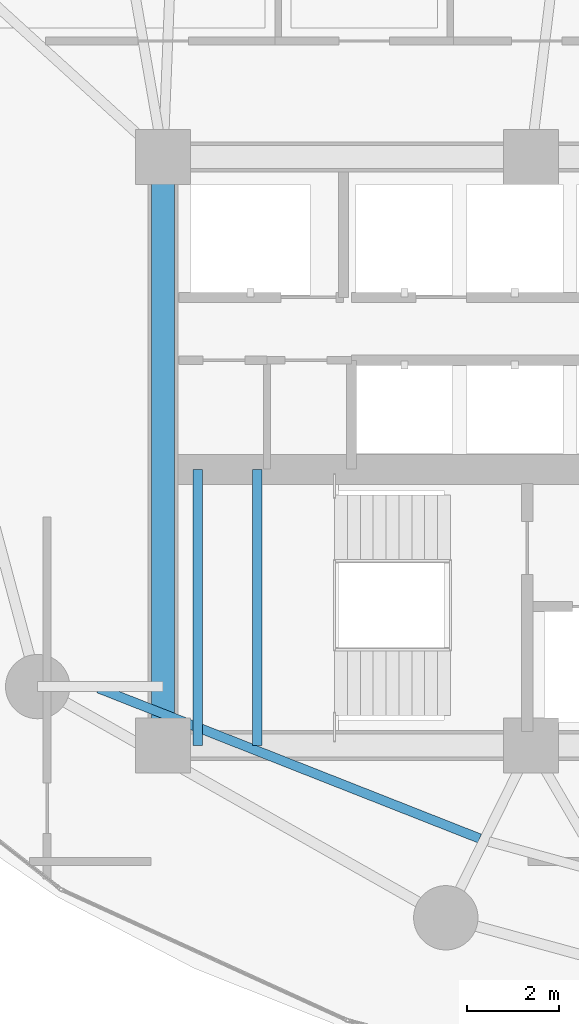
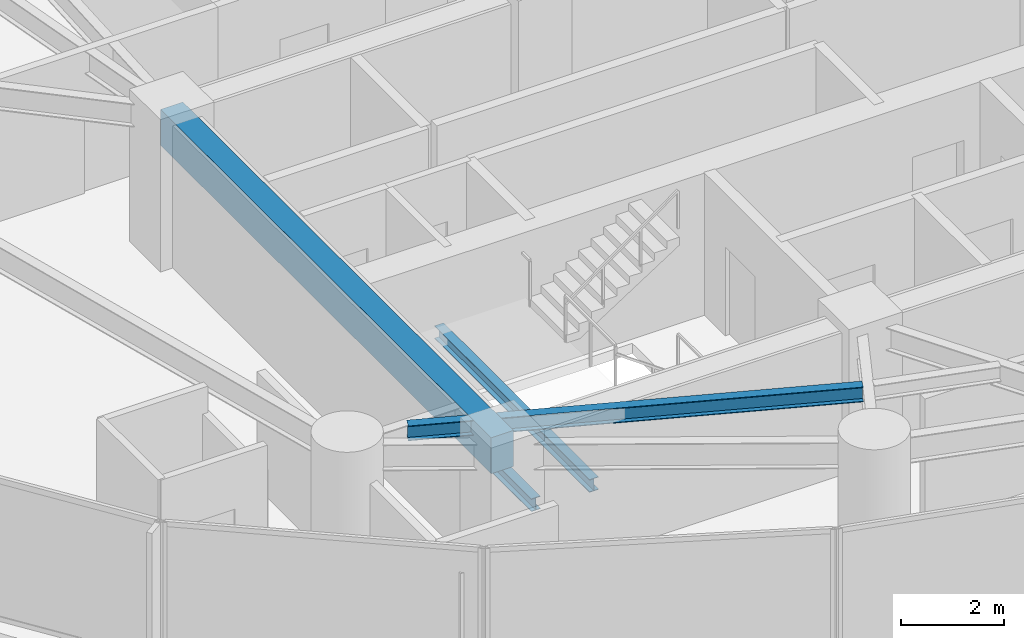
# One storey, part 4 of 32: 4 beams.
"""IFC4 building model written with IfcOpenShell, lengths in metres."""

from ifc_helpers import new_model, si_unit, direction, frame, origin, origin_2d, place, context, subcontext, project, spatial, rectangle, i_section, extrude, material, material_profile, profile_set, type_object, element, save


model = new_model("IFC4")

# Units and contexts
model_context = context("Model", 3, precision=1e-05, world=origin(), true_north=direction((0.0, 1.0)))
body_context = subcontext(model_context, "Body", "Model", "MODEL_VIEW")
ifc_project = project(units=[si_unit("LENGTHUNIT", "METRE"), si_unit("AREAUNIT", "SQUARE_METRE"), si_unit("VOLUMEUNIT", "CUBIC_METRE"), si_unit("PLANEANGLEUNIT", "RADIAN"), si_unit("MASSUNIT", "GRAM", prefix="KILO")], contexts=[model_context])

# Site, building, storey
site_placement = place(None, origin())
site = spatial("IfcSite", under=ifc_project, at=site_placement, CompositionType="ELEMENT")
building_placement = place(site_placement, origin())
building = spatial("IfcBuilding", under=site, at=building_placement, Name="Kazevale Care Tower and Concert Hall", CompositionType="ELEMENT")
storey_placement = place(building_placement, frame((0.0, 0.0, 34.800048828125)))
storey = spatial("IfcBuildingStorey", under=building, at=storey_placement, Name="L08", CompositionType="ELEMENT", Elevation=34.800048828125)

# Beams
ifc_material_1 = material(Name="Concrete C60", Category="concrete")
ifc_material_profile_1 = material_profile(ifc_material_1, rectangle(XDim=0.5, YDim=0.85009765625, at=origin_2d()), Name="RC-B500x850")
ifc_profile_set_1 = profile_set([ifc_material_profile_1], Name="Concrete C60")
beam_type_1 = type_object("IfcBeamType", Name="Core Coupling Beam RC500x850", PredefinedType="LINTEL", material=ifc_profile_set_1)
beam_1_placement = place(storey_placement, frame((22.0, 36.39990234375, 2.93505859375), z_axis=(0.0, -1.0, 0.0), x_axis=(1.0, 0.0, 0.0)))
element("IfcBeam", 1, at=beam_1_placement, inside=storey, type_object=beam_type_1, Name="beam:L08:coretie:8", PredefinedType="LINTEL", context=body_context, shape_type="SweptSolid", body=[
    extrude(rectangle(XDim=0.5, YDim=0.85009765625, at=origin_2d()), origin(), (0.0, 0.0, 1.0), 12.7998046875),
])
ifc_material_2 = material(Name="Steel ASTM A572 Gr 50", Category="steel")
ifc_material_profile_2 = material_profile(ifc_material_2, i_section(OverallWidth=0.205078125, OverallDepth=0.35400390625, WebThickness=0.009521484375, FlangeThickness=0.016845703125, at=origin_2d()), Name="W360x79")
ifc_profile_set_2 = profile_set([ifc_material_profile_2], Name="Steel ASTM A572 Gr 50")
beam_type_2 = type_object("IfcBeamType", Name="Secondary Floor Joist W360x79", PredefinedType="JOIST", material=ifc_profile_set_2)
beam_2_placement = place(storey_placement, frame((20.595947265625, 24.842041015625, 3.182861328125), z_axis=(0.930380638802, -0.366594963062, 0.0), x_axis=(0.366594963062, 0.930380638802, 0.0)))
element("IfcBeam", 2, at=beam_2_placement, inside=storey, type_object=beam_type_2, Name="beam:L08:joist:10", PredefinedType="JOIST", context=body_context, shape_type="SweptSolid", body=[
    extrude(i_section(OverallWidth=0.205078125, OverallDepth=0.35400390625, WebThickness=0.009521484375, FlangeThickness=0.016845703125, at=origin_2d()), origin(), (0.0, 0.0, 1.0), 8.909423828125),
])
ifc_material_profile_3 = material_profile(ifc_material_2, i_section(OverallWidth=0.202880859375, OverallDepth=0.302978515625, WebThickness=0.007568359375, FlangeThickness=0.01318359375, at=origin_2d()), Name="W310x60")
ifc_profile_set_3 = profile_set([ifc_material_profile_3], Name="Steel ASTM A572 Gr 50")
beam_type_3 = type_object("IfcBeamType", Name="Stair & Balcony Trimmer W310x60", PredefinedType="BEAM", material=ifc_profile_set_3)
for number, where, z_axis, x_axis, name in (
    (3, (22.75, 23.60009765625, 1.448486328125), (0.0, 1.0, 0.0), (-1.0, 0.0, 0.0), "beam:L08:sttrim:ST1"),
    (4, (24.050048828125, 23.60009765625, 1.448486328125), (0.0, 1.0, 0.0), (-1.0, 0.0, 0.0), "beam:L08:sttrim:ST1b"),
):
    element("IfcBeam", number, at=place(storey_placement, frame(where, z_axis=z_axis, x_axis=x_axis)), inside=storey, type_object=beam_type_3, Name=name, PredefinedType="BEAM", context=body_context, shape_type="SweptSolid", body=[
        extrude(i_section(OverallWidth=0.202880859375, OverallDepth=0.302978515625, WebThickness=0.007568359375, FlangeThickness=0.01318359375, at=origin_2d()), origin(), (0.0, 0.0, 1.0), 6.0),
    ])

save(model, "model.ifc")
